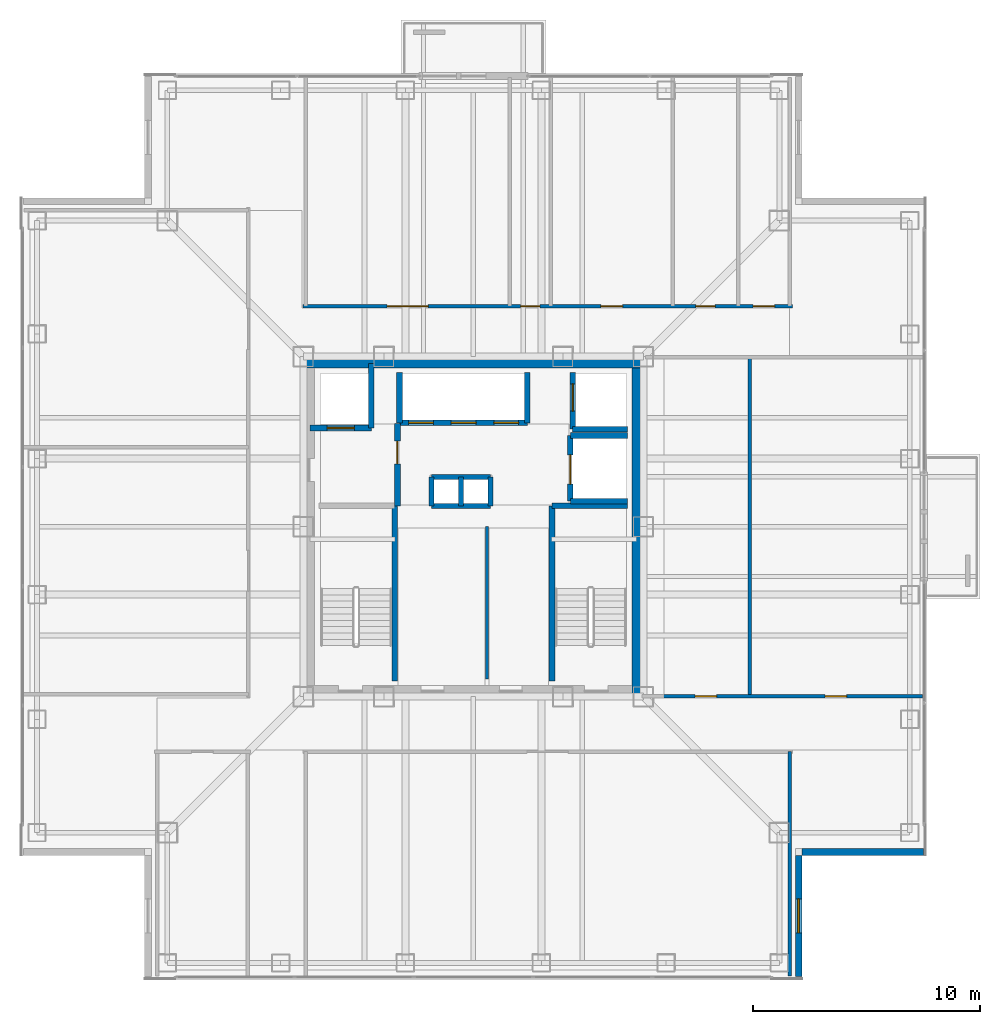
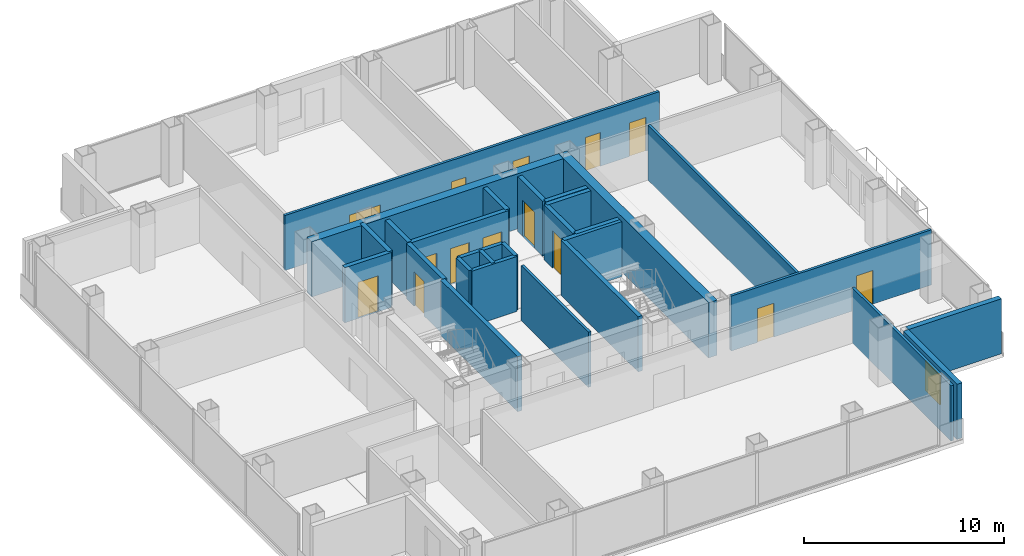
# One storey, part 10 of 17: 28 walls, 14 doors, 1 window, 15 openings.
"""IFC4 building model written with IfcOpenShell, lengths in metres."""

from ifc_helpers import new_model, si_unit, direction, frame, frame_2d, origin, place, context, subcontext, project, spatial, rectangle, extrude, material, layer, layer_set, type_object, element, fill, save


model = new_model("IFC4")

# Units and contexts
model_context = context("Model", 3, precision=1e-05, world=origin(), true_north=direction((0.0, 1.0)))
body_context = subcontext(model_context, "Body", "Model", "MODEL_VIEW")
ifc_project = project(units=[si_unit("LENGTHUNIT", "METRE"), si_unit("AREAUNIT", "SQUARE_METRE"), si_unit("VOLUMEUNIT", "CUBIC_METRE"), si_unit("PLANEANGLEUNIT", "RADIAN"), si_unit("MASSUNIT", "GRAM", prefix="KILO")], contexts=[model_context])

# Site, building, storey
site_placement = place(None, origin())
site = spatial("IfcSite", under=ifc_project, at=site_placement, CompositionType="ELEMENT")
building_placement = place(site_placement, origin())
building = spatial("IfcBuilding", under=site, at=building_placement, Name="Trevonay Congress Spire", CompositionType="ELEMENT")
storey_placement = place(building_placement, frame((0.0, 0.0, 187.800048828125)))
storey = spatial("IfcBuildingStorey", under=building, at=storey_placement, Name="L48", CompositionType="ELEMENT", Elevation=187.800048828125)

# Walls
ifc_material_1 = material(Name="Concrete C50/60", Category="concrete")
ifc_layer_1 = layer(ifc_material_1, 0.5, Name="Concrete C50/60")
ifc_layer_set_1 = layer_set([ifc_layer_1], Name="Concrete C50/60")
wall_type_1 = type_object("IfcWallType", Name="WAL-CORE-500", PredefinedType="SHEAR", material=ifc_layer_set_1)
for number, where, z_axis, x_axis, name in (
    (1, (-7.5, 7.25, 0.0), (0.0, 0.0, 1.0), (1.0, 0.0, 0.0), "L48 North structural core shear wall"),
    (2, (7.25, -7.5, 0.0), (0.0, 0.0, 1.0), (0.0, 1.0, 0.0), "L48 East structural core shear wall"),
):
    element("IfcWall", number, at=place(storey_placement, frame(where, z_axis=z_axis, x_axis=x_axis)), inside=storey, type_object=wall_type_1, Name=name, PredefinedType="SHEAR", context=body_context, shape_type="SweptSolid", body=[
        extrude(rectangle(XDim=15.0, YDim=0.5, at=frame_2d((7.5, 0.0))), origin(), (0.0, 0.0, 1.0), 3.35986328125),
    ])

# Wall, openings, doors
ifc_material_2 = material(Name="Concrete C40/50", Category="concrete")
ifc_layer_2 = layer(ifc_material_2, 0.14990234375, Name="Concrete C40/50")
ifc_layer_set_2 = layer_set([ifc_layer_2], Name="Concrete C40/50")
wall_type_2 = type_object("IfcWallType", Name="WAL-CORR-150", PredefinedType="PARTITIONING", material=ifc_layer_set_2)
wall_1_placement = place(storey_placement, frame((-7.52001953125, 9.72998046875, 0.0), z_axis=(0.0, 0.0, 1.0), x_axis=(1.0, 0.0, 0.0)))
wall_1 = element("IfcWall", 3, at=wall_1_placement, inside=storey, type_object=wall_type_2, Name="L48 interior wall WP-L48N-COR", PredefinedType="PARTITIONING", context=body_context, shape_type="SweptSolid", body=[
    extrude(rectangle(XDim=21.590087890625, YDim=0.14990234375, at=frame_2d((10.794921875, 0.0))), origin(), (0.0, 0.0, 1.0), 3.35986328125),
])
opening_1_placement = place(wall_1_placement, frame((3.719970703125, 0.0, 0.0)))
opening_1 = element("IfcOpeningElement", 4, at=opening_1_placement, cuts=wall_1, Name="Opening D09", PredefinedType="OPENING", context=body_context, shape_type="SweptSolid", body=[
    extrude(rectangle(XDim=1.800048828125, YDim=2.080078125, at=frame_2d((0.89990234375, 1.0400390625))), frame((0.0, 0.0849609375, 0.0), z_axis=(0.0, -1.0, 0.0), x_axis=(1.0, 0.0, 0.0)), (0.0, 0.0, 1.0), 0.169921875),
])
opening_2_placement = place(wall_1_placement, frame((9.60009765625, 0.0, 0.0)))
opening_2 = element("IfcOpeningElement", 5, at=opening_2_placement, cuts=wall_1, Name="Opening D10", PredefinedType="OPENING", context=body_context, shape_type="SweptSolid", body=[
    extrude(rectangle(XDim=0.85009765625, YDim=2.050048828125, at=frame_2d((0.425048828125, 1.02490234375))), frame((0.0, 0.0849609375, 0.0), z_axis=(0.0, -1.0, 0.0), x_axis=(1.0, 0.0, 0.0)), (0.0, 0.0, 1.0), 0.169921875),
])
opening_3_placement = place(wall_1_placement, frame((13.14990234375, 0.0, 0.0)))
opening_3 = element("IfcOpeningElement", 6, at=opening_3_placement, cuts=wall_1, Name="Opening D07", PredefinedType="OPENING", context=body_context, shape_type="SweptSolid", body=[
    extrude(rectangle(XDim=0.949951171875, YDim=2.06005859375, at=frame_2d((0.47509765625, 1.030029296875))), frame((0.0, 0.0849609375, 0.0), z_axis=(0.0, -1.0, 0.0), x_axis=(1.0, 0.0, 0.0)), (0.0, 0.0, 1.0), 0.169921875),
])
opening_4_placement = place(wall_1_placement, frame((17.3349609375, 0.0, 0.0)))
opening_4 = element("IfcOpeningElement", 7, at=opening_4_placement, cuts=wall_1, Name="Opening D10", PredefinedType="OPENING", context=body_context, shape_type="SweptSolid", body=[
    extrude(rectangle(XDim=0.85009765625, YDim=2.050048828125, at=frame_2d((0.425048828125, 1.02490234375))), frame((0.0, 0.0849609375, 0.0), z_axis=(0.0, -1.0, 0.0), x_axis=(1.0, 0.0, 0.0)), (0.0, 0.0, 1.0), 0.169921875),
])
opening_5_placement = place(wall_1_placement, frame((19.860107421875, 0.0, 0.0)))
opening_5 = element("IfcOpeningElement", 8, at=opening_5_placement, cuts=wall_1, Name="Opening D07", PredefinedType="OPENING", context=body_context, shape_type="SweptSolid", body=[
    extrude(rectangle(XDim=0.949951171875, YDim=2.06005859375, at=frame_2d((0.47509765625, 1.030029296875))), frame((0.0, 0.0849609375, 0.0), z_axis=(0.0, -1.0, 0.0), x_axis=(1.0, 0.0, 0.0)), (0.0, 0.0, 1.0), 0.169921875),
])
ifc_material_3 = material(Name="Pale Anodised Aluminium EN AW-6063-T6", Category="aluminium")
door_type_1 = type_object("IfcDoorType", Name="DOR-CONF-DBL", OperationType="DOUBLE_DOOR_SINGLE_SWING", PredefinedType="DOOR", material=ifc_material_3)
door_1_placement = place(opening_1_placement, origin())
door_1 = element("IfcDoor", 9, at=door_1_placement, inside=storey, type_object=door_type_1, Name="L48 Witness Waiting Lounge Door", OperationType="DOUBLE_DOOR_SINGLE_SWING", OverallHeight=2.080078125, OverallWidth=1.800048828125, PredefinedType="DOOR", context=body_context, shape_type="SweptSolid", body=[
    extrude(rectangle(XDim=1.800048828125, YDim=2.080078125, at=frame_2d((0.89990234375, 1.0400390625))), frame((0.0, 0.02490234375, 0.0), z_axis=(0.0, -1.0, 0.0), x_axis=(1.0, 0.0, 0.0)), (0.0, 0.0, 1.0), 0.050048828125),
])
fill(opening_1, door_1)
door_type_2 = type_object("IfcDoorType", Name="DOR-OFFICE-95", OperationType="NOTDEFINED", PredefinedType="DOOR", material=ifc_material_3)
door_2_placement = place(opening_3_placement, origin())
door_2 = element("IfcDoor", 10, at=door_2_placement, inside=storey, type_object=door_type_2, Name="L48 Floor Supplies and Copy Room Door", OperationType="SINGLE_SWING_LEFT", OverallHeight=2.06005859375, OverallWidth=0.949951171875, PredefinedType="DOOR", context=body_context, shape_type="SweptSolid", body=[
    extrude(rectangle(XDim=0.949951171875, YDim=2.06005859375, at=frame_2d((0.47509765625, 1.030029296875))), frame((0.0, 0.02490234375, 0.0), z_axis=(0.0, -1.0, 0.0), x_axis=(1.0, 0.0, 0.0)), (0.0, 0.0, 1.0), 0.050048828125),
])
fill(opening_3, door_2)
door_3_placement = place(opening_5_placement, origin())
door_3 = element("IfcDoor", 11, at=door_3_placement, inside=storey, type_object=door_type_2, Name="L48 Floor Supplies and Copy Room Door", OperationType="SINGLE_SWING_LEFT", OverallHeight=2.06005859375, OverallWidth=0.949951171875, PredefinedType="DOOR", context=body_context, shape_type="SweptSolid", body=[
    extrude(rectangle(XDim=0.949951171875, YDim=2.06005859375, at=frame_2d((0.47509765625, 1.030029296875))), frame((0.0, 0.02490234375, 0.0), z_axis=(0.0, -1.0, 0.0), x_axis=(1.0, 0.0, 0.0)), (0.0, 0.0, 1.0), 0.050048828125),
])
fill(opening_5, door_3)
door_type_3 = type_object("IfcDoorType", Name="DOR-WC-85", OperationType="NOTDEFINED", PredefinedType="DOOR", material=ifc_material_3)
door_4_placement = place(opening_2_placement, origin())
door_4 = element("IfcDoor", 12, at=door_4_placement, inside=storey, type_object=door_type_3, Name="L48 Accessible WC Door", OperationType="SINGLE_SWING_RIGHT", OverallHeight=2.050048828125, OverallWidth=0.85009765625, PredefinedType="DOOR", context=body_context, shape_type="SweptSolid", body=[
    extrude(rectangle(XDim=0.85009765625, YDim=2.050048828125, at=frame_2d((0.425048828125, 1.02490234375))), frame((0.0, 0.02490234375, 0.0), z_axis=(0.0, -1.0, 0.0), x_axis=(1.0, 0.0, 0.0)), (0.0, 0.0, 1.0), 0.050048828125),
])
fill(opening_2, door_4)
door_5_placement = place(opening_4_placement, origin())
door_5 = element("IfcDoor", 13, at=door_5_placement, inside=storey, type_object=door_type_3, Name="L48 Female Restroom WC Door", OperationType="SINGLE_SWING_RIGHT", OverallHeight=2.050048828125, OverallWidth=0.85009765625, PredefinedType="DOOR", context=body_context, shape_type="SweptSolid", body=[
    extrude(rectangle(XDim=0.85009765625, YDim=2.050048828125, at=frame_2d((0.425048828125, 1.02490234375))), frame((0.0, 0.02490234375, 0.0), z_axis=(0.0, -1.0, 0.0), x_axis=(1.0, 0.0, 0.0)), (0.0, 0.0, 1.0), 0.050048828125),
])
fill(opening_4, door_5)

wall_2_placement = place(storey_placement, frame((8.280029296875, -7.47998046875, 0.0), z_axis=(0.0, 0.0, 1.0), x_axis=(1.0, 0.0, 0.0)))
wall_2 = element("IfcWall", 14, at=wall_2_placement, inside=storey, type_object=wall_type_2, Name="L48 interior wall WP-L48E-COR", PredefinedType="PARTITIONING", context=body_context, shape_type="SweptSolid", body=[
    extrude(rectangle(XDim=11.5400390625, YDim=0.14990234375, at=frame_2d((5.77001953125, 0.0))), origin(), (0.0, 0.0, 1.0), 3.35986328125),
])
opening_6_placement = place(wall_2_placement, frame((1.5048828125, 0.0, 0.0)))
opening_6 = element("IfcOpeningElement", 15, at=opening_6_placement, cuts=wall_2, Name="Opening D07", PredefinedType="OPENING", context=body_context, shape_type="SweptSolid", body=[
    extrude(rectangle(XDim=0.949951171875, YDim=2.06005859375, at=frame_2d((0.47509765625, 1.030029296875))), frame((0.0, 0.0849609375, 0.0), z_axis=(0.0, -1.0, 0.0), x_axis=(1.0, 0.0, 0.0)), (0.0, 0.0, 1.0), 0.169921875),
])
opening_7_placement = place(wall_2_placement, frame((7.235107421875, 0.0, 0.0)))
opening_7 = element("IfcOpeningElement", 16, at=opening_7_placement, cuts=wall_2, Name="Opening D07", PredefinedType="OPENING", context=body_context, shape_type="SweptSolid", body=[
    extrude(rectangle(XDim=0.949951171875, YDim=2.06005859375, at=frame_2d((0.47509765625, 1.030029296875))), frame((0.0, 0.0849609375, 0.0), z_axis=(0.0, -1.0, 0.0), x_axis=(1.0, 0.0, 0.0)), (0.0, 0.0, 1.0), 0.169921875),
])
door_6_placement = place(opening_6_placement, origin())
door_6 = element("IfcDoor", 17, at=door_6_placement, inside=storey, type_object=door_type_2, Name="L48 Executive Study Office Door", OperationType="SINGLE_SWING_RIGHT", OverallHeight=2.06005859375, OverallWidth=0.949951171875, PredefinedType="DOOR", context=body_context, shape_type="SweptSolid", body=[
    extrude(rectangle(XDim=0.949951171875, YDim=2.06005859375, at=frame_2d((0.47509765625, 1.030029296875))), frame((0.0, 0.02490234375, 0.0), z_axis=(0.0, -1.0, 0.0), x_axis=(1.0, 0.0, 0.0)), (0.0, 0.0, 1.0), 0.050048828125),
])
fill(opening_6, door_6)
door_7_placement = place(opening_7_placement, origin())
door_7 = element("IfcDoor", 18, at=door_7_placement, inside=storey, type_object=door_type_2, Name="L48 Catering Pantry Door", OperationType="SINGLE_SWING_LEFT", OverallHeight=2.06005859375, OverallWidth=0.949951171875, PredefinedType="DOOR", context=body_context, shape_type="SweptSolid", body=[
    extrude(rectangle(XDim=0.949951171875, YDim=2.06005859375, at=frame_2d((0.47509765625, 1.030029296875))), frame((0.0, 0.02490234375, 0.0), z_axis=(0.0, -1.0, 0.0), x_axis=(1.0, 0.0, 0.0)), (0.0, 0.0, 1.0), 0.050048828125),
])
fill(opening_7, door_7)

# Wall, opening, window
ifc_material_4 = material(Name="Precast concrete C40/50", Category="concrete")
ifc_layer_3 = layer(ifc_material_4, 0.300048828125, Name="Precast concrete C40/50")
ifc_layer_set_3 = layer_set([ifc_layer_3], Name="Precast concrete C40/50")
wall_type_3 = type_object("IfcWallType", Name="WAL-EXT-PRECAST-300", PredefinedType="SOLIDWALL", material=ifc_layer_set_3)
wall_3_placement = place(storey_placement, frame((14.35009765625, -19.85009765625, 0.0), z_axis=(0.0, 0.0, 1.0), x_axis=(0.0, 1.0, 0.0)))
wall_3 = element("IfcWall", 19, at=wall_3_placement, inside=storey, type_object=wall_type_3, Name="L48 SE re-entrant notch exterior wall 1", PredefinedType="SOLIDWALL", context=body_context, shape_type="SweptSolid", body=[
    extrude(rectangle(XDim=5.35009765625, YDim=0.300048828125, at=frame_2d((2.675048828125, 0.0))), origin(), (0.0, 0.0, 1.0), 3.35986328125),
])
opening_8_placement = place(wall_3_placement, frame((1.925048828125, 0.0, 0.89990234375)))
opening_8 = element("IfcOpeningElement", 20, at=opening_8_placement, cuts=wall_3, Name="Opening WN03", PredefinedType="OPENING", context=body_context, shape_type="SweptSolid", body=[
    extrude(rectangle(XDim=1.5, YDim=1.800048828125, at=frame_2d((0.75, 0.89990234375))), frame((0.0, 0.16015625, 0.0), z_axis=(0.0, -1.0, 0.0), x_axis=(1.0, 0.0, 0.0)), (0.0, 0.0, 1.0), 0.320068359375),
])
ifc_material_5 = material(Name="Insulated Low-E Vision Glass IGU", Category="glass")
window_type = type_object("IfcWindowType", Name="WIN-NOTCH-150X180", PartitioningType="SINGLE_PANEL", PredefinedType="WINDOW", material=ifc_material_5)
window_placement = place(opening_8_placement, origin())
window = element("IfcWindow", 21, at=window_placement, inside=storey, type_object=window_type, Name="L48 SE corner notch window", OverallHeight=1.800048828125, OverallWidth=1.5, PartitioningType="SINGLE_PANEL", PredefinedType="WINDOW", context=body_context, shape_type="SweptSolid", body=[
    extrude(rectangle(XDim=1.5, YDim=1.800048828125, at=frame_2d((0.75, 0.89990234375))), frame((0.0, 0.030029296875, 0.0), z_axis=(0.0, -1.0, 0.0), x_axis=(1.0, 0.0, 0.0)), (0.0, 0.0, 1.0), 0.06005859375),
])
fill(opening_8, window)

# Walls
wall_4_placement = place(storey_placement, frame((19.85009765625, -14.35009765625, 0.0), z_axis=(0.0, 0.0, 1.0), x_axis=(-1.0, 0.0, 0.0)))
element("IfcWall", 22, at=wall_4_placement, inside=storey, type_object=wall_type_3, Name="L48 SE re-entrant notch exterior wall 2", PredefinedType="SOLIDWALL", context=body_context, shape_type="SweptSolid", body=[
    extrude(rectangle(XDim=5.35009765625, YDim=0.300048828125, at=frame_2d((2.675048828125, 0.0))), origin(), (0.0, 0.0, 1.0), 3.35986328125),
])
ifc_layer_4 = layer(ifc_material_2, 0.14990234375, Name="Concrete C40/50")
ifc_layer_set_4 = layer_set([ifc_layer_4], Name="Concrete C40/50")
wall_type_4 = type_object("IfcWallType", Name="WAL-PART-150", PredefinedType="PARTITIONING", material=ifc_layer_set_4)
wall_5_placement = place(storey_placement, frame((0.60009765625, -6.719970703125, 0.0), z_axis=(0.0, 0.0, 1.0), x_axis=(0.0, 1.0, 0.0)))
element("IfcWall", 23, at=wall_5_placement, inside=storey, type_object=wall_type_4, Name="L48 interior wall CW-F1V-L48", PredefinedType="PARTITIONING", context=body_context, shape_type="SweptSolid", body=[
    extrude(rectangle(XDim=6.719970703125, YDim=0.14990234375, at=frame_2d((3.35986328125, 0.0))), origin(), (0.0, 0.0, 1.0), 3.35986328125),
])
wall_6_placement = place(storey_placement, frame((13.949951171875, -19.820068359375, 0.0), z_axis=(0.0, 0.0, 1.0), x_axis=(0.0, 1.0, 0.0)))
element("IfcWall", 24, at=wall_6_placement, inside=storey, type_object=wall_type_4, Name="L48 interior wall WP-L48SE-DIV2", PredefinedType="PARTITIONING", context=body_context, shape_type="SweptSolid", body=[
    extrude(rectangle(XDim=9.89013671875, YDim=0.14990234375, at=frame_2d((4.945068359375, 0.0))), origin(), (0.0, 0.0, 1.0), 3.35986328125),
])
wall_7_placement = place(storey_placement, frame((12.199951171875, -7.47998046875, 0.0), z_axis=(0.0, 0.0, 1.0), x_axis=(0.0, 1.0, 0.0)))
element("IfcWall", 25, at=wall_7_placement, inside=storey, type_object=wall_type_4, Name="L48 interior wall WP-L48E-DIV1", PredefinedType="PARTITIONING", context=body_context, shape_type="SweptSolid", body=[
    extrude(rectangle(XDim=14.89990234375, YDim=0.14990234375, at=frame_2d((7.449951171875, 0.0))), origin(), (0.0, 0.0, 1.0), 3.35986328125),
])
ifc_layer_5 = layer(ifc_material_2, 0.219970703125, Name="Concrete C40/50")
ifc_layer_set_5 = layer_set([ifc_layer_5], Name="Concrete C40/50")
wall_type_5 = type_object("IfcWallType", Name="WAL-SHAFT-220", PredefinedType="PARTITIONING", material=ifc_layer_set_5)
for number, where, z_axis, x_axis, name in (
    (26, (-1.85009765625, 2.199951171875, 0.0), (0.0, 0.0, 1.0), (1.0, 0.0, 0.0), "L48 interior shaft wall WSH-L48-RSR-N"),
    (27, (-1.85009765625, 0.89990234375, 0.0), (0.0, 0.0, 1.0), (1.0, 0.0, 0.0), "L48 interior shaft wall WSH-L48-RSR-S"),
):
    element("IfcWall", number, at=place(storey_placement, frame(where, z_axis=z_axis, x_axis=x_axis)), inside=storey, type_object=wall_type_5, Name=name, PredefinedType="PARTITIONING", context=body_context, shape_type="SweptSolid", body=[
        extrude(rectangle(XDim=2.60009765625, YDim=0.219970703125, at=frame_2d((1.300048828125, 0.0))), origin(), (0.0, 0.0, 1.0), 3.35986328125),
    ])
for number, where, z_axis, x_axis, name in (
    (28, (-0.550048828125, 0.89990234375, 0.0), (0.0, 0.0, 1.0), (0.0, 1.0, 0.0), "L48 interior shaft wall WSH-L48-RSR-M"),
    (29, (0.75, 0.89990234375, 0.0), (0.0, 0.0, 1.0), (0.0, 1.0, 0.0), "L48 interior shaft wall WSH-L48-RSR-E"),
    (30, (-1.85009765625, 0.89990234375, 0.0), (0.0, 0.0, 1.0), (0.0, 1.0, 0.0), "L48 interior shaft wall WSH-L48-RSR-W"),
):
    element("IfcWall", number, at=place(storey_placement, frame(where, z_axis=z_axis, x_axis=x_axis)), inside=storey, type_object=wall_type_5, Name=name, PredefinedType="PARTITIONING", context=body_context, shape_type="SweptSolid", body=[
        extrude(rectangle(XDim=1.300048828125, YDim=0.219970703125, at=frame_2d((0.64990234375, 0.0))), origin(), (0.0, 0.0, 1.0), 3.35986328125),
    ])

# Wall, openings, doors
ifc_layer_6 = layer(ifc_material_2, 0.25, Name="Concrete C40/50")
ifc_layer_set_6 = layer_set([ifc_layer_6], Name="Concrete C40/50")
wall_type_6 = type_object("IfcWallType", Name="WAL-SHAFT-250", PredefinedType="SHEAR", material=ifc_layer_set_6)
wall_8_placement = place(storey_placement, frame((-3.260009765625, 4.580078125, 0.0), z_axis=(0.0, 0.0, 1.0), x_axis=(1.0, 0.0, 0.0)))
wall_8 = element("IfcWall", 31, at=wall_8_placement, inside=storey, type_object=wall_type_6, Name="L48 interior shaft wall WSH-L48-B3-S", PredefinedType="SHEAR", context=body_context, shape_type="SweptSolid", body=[
    extrude(rectangle(XDim=5.639892578125, YDim=0.25, at=frame_2d((2.81982421875, 0.0))), origin(), (0.0, 0.0, 1.0), 3.35986328125),
])
opening_9_placement = place(wall_8_placement, frame((0.39990234375, 0.0, 0.0)))
opening_9 = element("IfcOpeningElement", 32, at=opening_9_placement, cuts=wall_8, Name="Opening LD03", PredefinedType="OPENING", context=body_context, shape_type="SweptSolid", body=[
    extrude(rectangle(XDim=1.10009765625, YDim=2.199951171875, at=frame_2d((0.550048828125, 1.10009765625))), frame((0.0, 0.135009765625, 0.0), z_axis=(0.0, -1.0, 0.0), x_axis=(1.0, 0.0, 0.0)), (0.0, 0.0, 1.0), 0.27001953125),
])
opening_10_placement = place(wall_8_placement, frame((2.280029296875, 0.0, 0.0)))
opening_10 = element("IfcOpeningElement", 33, at=opening_10_placement, cuts=wall_8, Name="Opening LD03", PredefinedType="OPENING", context=body_context, shape_type="SweptSolid", body=[
    extrude(rectangle(XDim=1.10009765625, YDim=2.199951171875, at=frame_2d((0.550048828125, 1.10009765625))), frame((0.0, 0.135009765625, 0.0), z_axis=(0.0, -1.0, 0.0), x_axis=(1.0, 0.0, 0.0)), (0.0, 0.0, 1.0), 0.27001953125),
])
opening_11_placement = place(wall_8_placement, frame((4.159912109375, 0.0, 0.0)))
opening_11 = element("IfcOpeningElement", 34, at=opening_11_placement, cuts=wall_8, Name="Opening LD03", PredefinedType="OPENING", context=body_context, shape_type="SweptSolid", body=[
    extrude(rectangle(XDim=1.10009765625, YDim=2.199951171875, at=frame_2d((0.550048828125, 1.10009765625))), frame((0.0, 0.135009765625, 0.0), z_axis=(0.0, -1.0, 0.0), x_axis=(1.0, 0.0, 0.0)), (0.0, 0.0, 1.0), 0.27001953125),
])
door_type_4 = type_object("IfcDoorType", Name="DOR-LIFT-LD03", OperationType="DOUBLE_DOOR_SLIDING", PredefinedType="DOOR", material=ifc_material_3)
door_8_placement = place(opening_9_placement, origin())
door_8 = element("IfcDoor", 35, at=door_8_placement, inside=storey, type_object=door_type_4, Name="L48 Passenger lift PL-07 landing door", OperationType="DOUBLE_DOOR_SLIDING", OverallHeight=2.199951171875, OverallWidth=1.10009765625, PredefinedType="DOOR", context=body_context, shape_type="SweptSolid", body=[
    extrude(rectangle(XDim=1.10009765625, YDim=2.199951171875, at=frame_2d((0.550048828125, 1.10009765625))), frame((0.0, 0.02490234375, 0.0), z_axis=(0.0, -1.0, 0.0), x_axis=(1.0, 0.0, 0.0)), (0.0, 0.0, 1.0), 0.050048828125),
])
fill(opening_9, door_8)
door_9_placement = place(opening_10_placement, origin())
door_9 = element("IfcDoor", 36, at=door_9_placement, inside=storey, type_object=door_type_4, Name="L48 Passenger lift PL-08 landing door", OperationType="DOUBLE_DOOR_SLIDING", OverallHeight=2.199951171875, OverallWidth=1.10009765625, PredefinedType="DOOR", context=body_context, shape_type="SweptSolid", body=[
    extrude(rectangle(XDim=1.10009765625, YDim=2.199951171875, at=frame_2d((0.550048828125, 1.10009765625))), frame((0.0, 0.02490234375, 0.0), z_axis=(0.0, -1.0, 0.0), x_axis=(1.0, 0.0, 0.0)), (0.0, 0.0, 1.0), 0.050048828125),
])
fill(opening_10, door_9)
door_10_placement = place(opening_11_placement, origin())
door_10 = element("IfcDoor", 37, at=door_10_placement, inside=storey, type_object=door_type_4, Name="L48 Passenger lift PL-09 landing door", OperationType="DOUBLE_DOOR_SLIDING", OverallHeight=2.199951171875, OverallWidth=1.10009765625, PredefinedType="DOOR", context=body_context, shape_type="SweptSolid", body=[
    extrude(rectangle(XDim=1.10009765625, YDim=2.199951171875, at=frame_2d((0.550048828125, 1.10009765625))), frame((0.0, 0.02490234375, 0.0), z_axis=(0.0, -1.0, 0.0), x_axis=(1.0, 0.0, 0.0)), (0.0, 0.0, 1.0), 0.050048828125),
])
fill(opening_11, door_10)

# Walls
for number, where, z_axis, x_axis, name in (
    (38, (-3.260009765625, 4.580078125, 0.0), (0.0, 0.0, 1.0), (0.0, 1.0, 0.0), "L48 interior shaft wall WSH-L48-B3-W"),
    (39, (2.3798828125, 4.580078125, 0.0), (0.0, 0.0, 1.0), (0.0, 1.0, 0.0), "L48 interior shaft wall WSH-L48-B3-E"),
):
    element("IfcWall", number, at=place(storey_placement, frame(where, z_axis=z_axis, x_axis=x_axis)), inside=storey, type_object=wall_type_6, Name=name, PredefinedType="SHEAR", context=body_context, shape_type="SweptSolid", body=[
        extrude(rectangle(XDim=2.219970703125, YDim=0.25, at=frame_2d((1.10986328125, 0.0))), origin(), (0.0, 0.0, 1.0), 3.35986328125),
    ])

# Wall, opening, door
wall_9_placement = place(storey_placement, frame((-7.199951171875, 4.35009765625, 0.0), z_axis=(0.0, 0.0, 1.0), x_axis=(1.0, 0.0, 0.0)))
wall_9 = element("IfcWall", 40, at=wall_9_placement, inside=storey, type_object=wall_type_6, Name="L48 interior shaft wall WSH-L48-FF1-S", PredefinedType="SHEAR", context=body_context, shape_type="SweptSolid", body=[
    extrude(rectangle(XDim=2.699951171875, YDim=0.25, at=frame_2d((1.35009765625, 0.0))), origin(), (0.0, 0.0, 1.0), 3.35986328125),
])
opening_12_placement = place(wall_9_placement, frame((0.75, 0.0, 0.0)))
opening_12 = element("IfcOpeningElement", 41, at=opening_12_placement, cuts=wall_9, Name="Opening LD04", PredefinedType="OPENING", context=body_context, shape_type="SweptSolid", body=[
    extrude(rectangle(XDim=1.199951171875, YDim=2.199951171875, at=frame_2d((0.60009765625, 1.10009765625))), frame((0.0, 0.135009765625, 0.0), z_axis=(0.0, -1.0, 0.0), x_axis=(1.0, 0.0, 0.0)), (0.0, 0.0, 1.0), 0.27001953125),
])
ifc_material_6 = material(Name="Steel ASTM A572 Grade 50", Category="steel")
door_type_5 = type_object("IfcDoorType", Name="DOR-LIFT-LD04", OperationType="DOUBLE_DOOR_SLIDING", PredefinedType="DOOR", material=ifc_material_6)
door_11_placement = place(opening_12_placement, origin())
door_11 = element("IfcDoor", 42, at=door_11_placement, inside=storey, type_object=door_type_5, Name="L48 Firefighting lift FFL-01 landing door", OperationType="DOUBLE_DOOR_SLIDING", OverallHeight=2.199951171875, OverallWidth=1.199951171875, PredefinedType="DOOR", context=body_context, shape_type="SweptSolid", body=[
    extrude(rectangle(XDim=1.199951171875, YDim=2.199951171875, at=frame_2d((0.60009765625, 1.10009765625))), frame((0.0, 0.02490234375, 0.0), z_axis=(0.0, -1.0, 0.0), x_axis=(1.0, 0.0, 0.0)), (0.0, 0.0, 1.0), 0.050048828125),
])
fill(opening_12, door_11)

# Walls
wall_10_placement = place(storey_placement, frame((-4.5, 4.35009765625, 0.0), z_axis=(0.0, 0.0, 1.0), x_axis=(0.0, 1.0, 0.0)))
element("IfcWall", 43, at=wall_10_placement, inside=storey, type_object=wall_type_6, Name="L48 interior shaft wall WSH-L48-FF1-E", PredefinedType="SHEAR", context=body_context, shape_type="SweptSolid", body=[
    extrude(rectangle(XDim=2.849853515625, YDim=0.25, at=frame_2d((1.4248046875, 0.0))), origin(), (0.0, 0.0, 1.0), 3.35986328125),
])
wall_11_placement = place(storey_placement, frame((4.3798828125, 4.300048828125, 0.0), z_axis=(0.0, 0.0, 1.0), x_axis=(1.0, 0.0, 0.0)))
element("IfcWall", 44, at=wall_11_placement, inside=storey, type_object=wall_type_6, Name="L48 interior shaft wall WSH-L48-FF2-S", PredefinedType="SHEAR", context=body_context, shape_type="SweptSolid", body=[
    extrude(rectangle(XDim=2.420166015625, YDim=0.25, at=frame_2d((1.2099609375, 0.0))), origin(), (0.0, 0.0, 1.0), 3.35986328125),
])

# Wall, opening, door
wall_12_placement = place(storey_placement, frame((4.3798828125, 4.300048828125, 0.0), z_axis=(0.0, 0.0, 1.0), x_axis=(0.0, 1.0, 0.0)))
wall_12 = element("IfcWall", 45, at=wall_12_placement, inside=storey, type_object=wall_type_6, Name="L48 interior shaft wall WSH-L48-FF2-W", PredefinedType="SHEAR", context=body_context, shape_type="SweptSolid", body=[
    extrude(rectangle(XDim=2.5, YDim=0.25, at=frame_2d((1.25, 0.0))), origin(), (0.0, 0.0, 1.0), 3.35986328125),
])
opening_13_placement = place(wall_12_placement, frame((0.800048828125, 0.0, 0.0)))
opening_13 = element("IfcOpeningElement", 46, at=opening_13_placement, cuts=wall_12, Name="Opening LD04", PredefinedType="OPENING", context=body_context, shape_type="SweptSolid", body=[
    extrude(rectangle(XDim=1.199951171875, YDim=2.199951171875, at=frame_2d((0.60009765625, 1.10009765625))), frame((0.0, 0.135009765625, 0.0), z_axis=(0.0, -1.0, 0.0), x_axis=(1.0, 0.0, 0.0)), (0.0, 0.0, 1.0), 0.27001953125),
])
door_12_placement = place(opening_13_placement, origin())
door_12 = element("IfcDoor", 47, at=door_12_placement, inside=storey, type_object=door_type_5, Name="L48 Firefighting lift FFL-02 landing door", OperationType="DOUBLE_DOOR_SLIDING", OverallHeight=2.199951171875, OverallWidth=1.199951171875, PredefinedType="DOOR", context=body_context, shape_type="SweptSolid", body=[
    extrude(rectangle(XDim=1.199951171875, YDim=2.199951171875, at=frame_2d((0.60009765625, 1.10009765625))), frame((0.0, 0.02490234375, 0.0), z_axis=(0.0, -1.0, 0.0), x_axis=(1.0, 0.0, 0.0)), (0.0, 0.0, 1.0), 0.050048828125),
])
fill(opening_13, door_12)

wall_13_placement = place(storey_placement, frame((4.280029296875, 1.1201171875, 0.0), z_axis=(0.0, 0.0, 1.0), x_axis=(0.0, 1.0, 0.0)))
wall_13 = element("IfcWall", 48, at=wall_13_placement, inside=storey, type_object=wall_type_6, Name="L48 interior shaft wall WSH-L48-SV-W", PredefinedType="SHEAR", context=body_context, shape_type="SweptSolid", body=[
    extrude(rectangle(XDim=2.89990234375, YDim=0.25, at=frame_2d((1.449951171875, 0.0))), origin(), (0.0, 0.0, 1.0), 3.35986328125),
])
opening_14_placement = place(wall_13_placement, frame((0.75, 0.0, 0.0)))
opening_14 = element("IfcOpeningElement", 49, at=opening_14_placement, cuts=wall_13, Name="Opening LD05", PredefinedType="OPENING", context=body_context, shape_type="SweptSolid", body=[
    extrude(rectangle(XDim=1.300048828125, YDim=2.300048828125, at=frame_2d((0.64990234375, 1.14990234375))), frame((0.0, 0.135009765625, 0.0), z_axis=(0.0, -1.0, 0.0), x_axis=(1.0, 0.0, 0.0)), (0.0, 0.0, 1.0), 0.27001953125),
])
door_type_6 = type_object("IfcDoorType", Name="DOR-LIFT-LD05", OperationType="DOUBLE_DOOR_SLIDING", PredefinedType="DOOR", material=ifc_material_6)
door_13_placement = place(opening_14_placement, origin())
door_13 = element("IfcDoor", 50, at=door_13_placement, inside=storey, type_object=door_type_6, Name="L48 Goods lift SVL-01 landing door", OperationType="DOUBLE_DOOR_SLIDING", OverallHeight=2.300048828125, OverallWidth=1.300048828125, PredefinedType="DOOR", context=body_context, shape_type="SweptSolid", body=[
    extrude(rectangle(XDim=1.300048828125, YDim=2.300048828125, at=frame_2d((0.64990234375, 1.14990234375))), frame((0.0, 0.02490234375, 0.0), z_axis=(0.0, -1.0, 0.0), x_axis=(1.0, 0.0, 0.0)), (0.0, 0.0, 1.0), 0.050048828125),
])
fill(opening_14, door_13)

# Walls
for number, where, z_axis, x_axis, name in (
    (51, (4.280029296875, 1.1201171875, 0.0), (0.0, 0.0, 1.0), (1.0, 0.0, 0.0), "L48 interior shaft wall WSH-L48-SV-S"),
    (52, (4.280029296875, 4.02001953125, 0.0), (0.0, 0.0, 1.0), (1.0, 0.0, 0.0), "L48 interior shaft wall WSH-L48-SV-N"),
):
    element("IfcWall", number, at=place(storey_placement, frame(where, z_axis=z_axis, x_axis=x_axis)), inside=storey, type_object=wall_type_6, Name=name, PredefinedType="SHEAR", context=body_context, shape_type="SweptSolid", body=[
        extrude(rectangle(XDim=2.52001953125, YDim=0.25, at=frame_2d((1.260009765625, 0.0))), origin(), (0.0, 0.0, 1.0), 3.35986328125),
    ])

# Wall, opening, door
wall_14_placement = place(storey_placement, frame((-3.35009765625, 0.919921875, 0.0), z_axis=(0.0, 0.0, 1.0), x_axis=(0.0, 1.0, 0.0)))
wall_14 = element("IfcWall", 53, at=wall_14_placement, inside=storey, type_object=wall_type_6, Name="L48 interior wall CW-FFLW-E-L48", PredefinedType="SHEAR", context=body_context, shape_type="SweptSolid", body=[
    extrude(rectangle(XDim=3.6201171875, YDim=0.25, at=frame_2d((1.81005859375, 0.0))), origin(), (0.0, 0.0, 1.0), 3.35986328125),
])
opening_15_placement = place(wall_14_placement, frame((1.85009765625, 0.0, 0.0)))
opening_15 = element("IfcOpeningElement", 54, at=opening_15_placement, cuts=wall_14, Name="Opening D06", PredefinedType="OPENING", context=body_context, shape_type="SweptSolid", body=[
    extrude(rectangle(XDim=1.0, YDim=2.080078125, at=frame_2d((0.5, 1.0400390625))), frame((0.0, 0.135009765625, 0.0), z_axis=(0.0, -1.0, 0.0), x_axis=(1.0, 0.0, 0.0)), (0.0, 0.0, 1.0), 0.27001953125),
])
door_type_7 = type_object("IfcDoorType", Name="DOR-FIRE-100", OperationType="NOTDEFINED", PredefinedType="DOOR", material=ifc_material_6)
door_14_placement = place(opening_15_placement, origin())
door_14 = element("IfcDoor", 55, at=door_14_placement, inside=storey, type_object=door_type_7, Name="L48 Firefighting Core Lobby Transfer Door", OperationType="SINGLE_SWING_RIGHT", OverallHeight=2.080078125, OverallWidth=1.0, PredefinedType="DOOR", context=body_context, shape_type="SweptSolid", body=[
    extrude(rectangle(XDim=1.0, YDim=2.080078125, at=frame_2d((0.5, 1.0400390625))), frame((0.0, 0.02490234375, 0.0), z_axis=(0.0, -1.0, 0.0), x_axis=(1.0, 0.0, 0.0)), (0.0, 0.0, 1.0), 0.050048828125),
])
fill(opening_15, door_14)

# Walls
ifc_layer_7 = layer(ifc_material_2, 0.25, Name="Concrete C40/50")
ifc_layer_set_7 = layer_set([ifc_layer_7], Name="Concrete C40/50")
wall_type_7 = type_object("IfcWallType", Name="WAL-SHAFT-LB-250", PredefinedType="SHEAR", material=ifc_layer_set_7)
for number, where, z_axis, x_axis, name in (
    (56, (-3.469970703125, -6.800048828125, 0.0), (0.0, 0.0, 1.0), (0.0, 1.0, 0.0), "L48 interior shaft wall WSH-L48-ST1-E"),
    (57, (3.469970703125, -6.800048828125, 0.0), (0.0, 0.0, 1.0), (0.0, 1.0, 0.0), "L48 interior shaft wall WSH-L48-ST2-W"),
):
    element("IfcWall", number, at=place(storey_placement, frame(where, z_axis=z_axis, x_axis=x_axis)), inside=storey, type_object=wall_type_7, Name=name, PredefinedType="SHEAR", context=body_context, shape_type="SweptSolid", body=[
        extrude(rectangle(XDim=7.719970703125, YDim=0.25, at=frame_2d((3.85986328125, 0.0))), origin(), (0.0, 0.0, 1.0), 3.35986328125),
    ])
wall_15_placement = place(storey_placement, frame((3.469970703125, 0.919921875, 0.0), z_axis=(0.0, 0.0, 1.0), x_axis=(1.0, 0.0, 0.0)))
element("IfcWall", 58, at=wall_15_placement, inside=storey, type_object=wall_type_7, Name="L48 interior shaft wall WSH-L48-ST2-N", PredefinedType="SHEAR", context=body_context, shape_type="SweptSolid", body=[
    extrude(rectangle(XDim=3.330078125, YDim=0.25, at=frame_2d((1.6650390625, 0.0))), origin(), (0.0, 0.0, 1.0), 3.35986328125),
])

save(model, "model.ifc")
